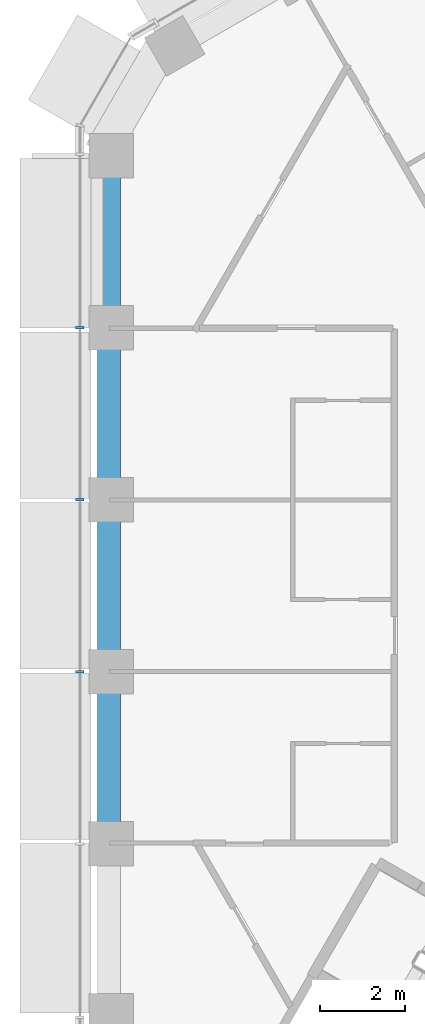
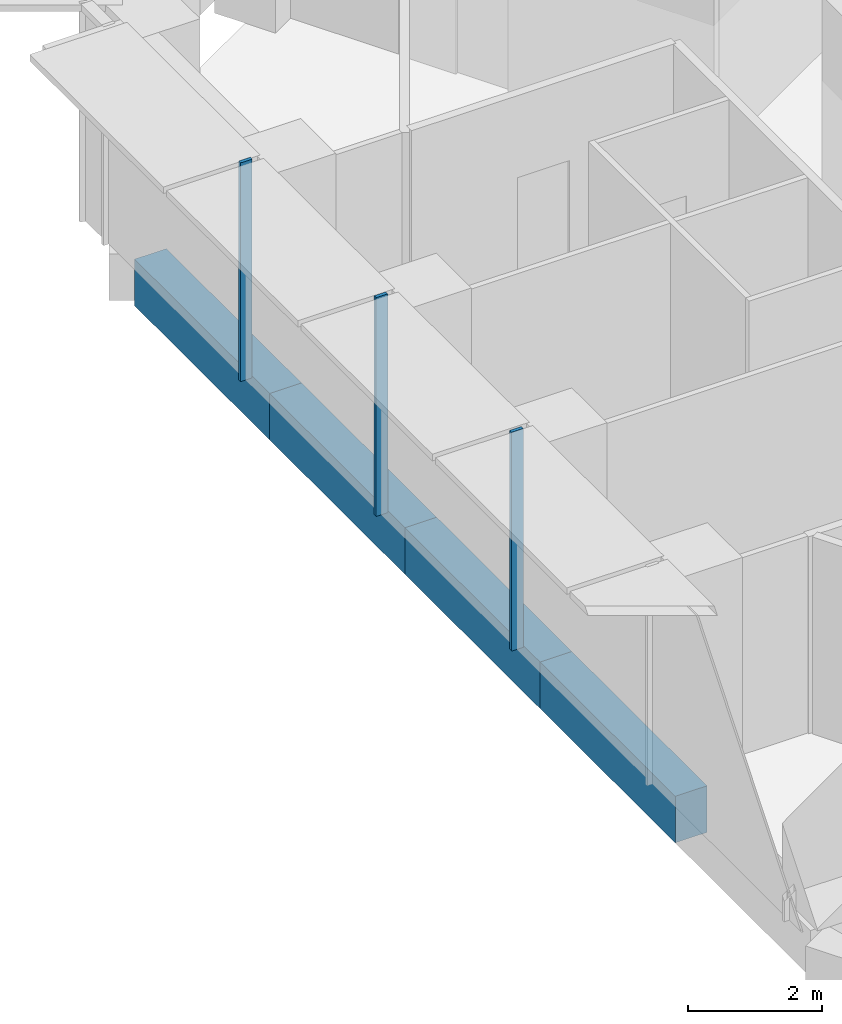
# One storey, part 3 of 28: 4 beams, 3 members, 1 element without a shape of its own.
"""IFC4 building model written with IfcOpenShell, lengths in metres."""

from ifc_helpers import new_model, si_unit, direction, frame, origin, origin_2d, place, context, subcontext, project, spatial, rectangle, extrude, material, layer, layer_set, material_profile, profile_set, type_object, element, aggregate, save


model = new_model("IFC4")

# Units and contexts
model_context = context("Model", 3, precision=1e-05, world=origin(), true_north=direction((0.0, 1.0)))
body_context = subcontext(model_context, "Body", "Model", "MODEL_VIEW")
ifc_project = project(units=[si_unit("LENGTHUNIT", "METRE"), si_unit("AREAUNIT", "SQUARE_METRE"), si_unit("VOLUMEUNIT", "CUBIC_METRE"), si_unit("PLANEANGLEUNIT", "RADIAN"), si_unit("MASSUNIT", "GRAM", prefix="KILO")], contexts=[model_context])

# Site, building, storey
site_placement = place(None, origin())
site = spatial("IfcSite", under=ifc_project, at=site_placement, CompositionType="ELEMENT")
building_placement = place(site_placement, origin())
building = spatial("IfcBuilding", under=site, at=building_placement, Name="Ayvan Gate Tower", CompositionType="ELEMENT")
storey_placement = place(building_placement, frame((0.0, 0.0, 143.89990234375)))
storey = spatial("IfcBuildingStorey", under=building, at=storey_placement, Name="L38", CompositionType="ELEMENT", Elevation=143.89990234375)

# Beams
ifc_material_1 = material(Name="Concrete C40/50", Category="concrete")
ifc_material_profile_1 = material_profile(ifc_material_1, rectangle(XDim=0.550048828125, YDim=0.85009765625, at=origin_2d()), Name="RC 550x850")
ifc_profile_set_1 = profile_set([ifc_material_profile_1], Name="Concrete C40/50")
beam_type = type_object("IfcBeamType", Name="Spandrel beam RC 550x850 C40/50", PredefinedType="BEAM", material=ifc_profile_set_1)
beam_1_placement = place(storey_placement, frame((-18.438720703125, 10.122314453125, -0.824951171875), z_axis=(0.0, -1.0, 0.0), x_axis=(1.0, 0.0, 0.0)))
element("IfcBeam", 1, at=beam_1_placement, inside=storey, type_object=beam_type, Name="SB-L38-19", PredefinedType="BEAM", context=body_context, shape_type="SweptSolid", body=[
    extrude(rectangle(XDim=0.550048828125, YDim=0.85009765625, at=origin_2d()), origin(), (0.0, 0.0, 1.0), 4.048828125),
])
beam_2_placement = place(storey_placement, frame((-18.438720703125, 6.073486328125, -0.824951171875), z_axis=(0.0, -1.0, 0.0), x_axis=(1.0, 0.0, 0.0)))
element("IfcBeam", 2, at=beam_2_placement, inside=storey, type_object=beam_type, Name="SB-L38-20", PredefinedType="BEAM", context=body_context, shape_type="SweptSolid", body=[
    extrude(rectangle(XDim=0.550048828125, YDim=0.85009765625, at=origin_2d()), origin(), (0.0, 0.0, 1.0), 4.049072265625),
])
beam_3_placement = place(storey_placement, frame((-18.438720703125, 2.0244140625, -0.824951171875), z_axis=(0.0, -1.0, 0.0), x_axis=(1.0, 0.0, 0.0)))
element("IfcBeam", 3, at=beam_3_placement, inside=storey, type_object=beam_type, Name="SB-L38-21", PredefinedType="BEAM", context=body_context, shape_type="SweptSolid", body=[
    extrude(rectangle(XDim=0.550048828125, YDim=0.85009765625, at=origin_2d()), origin(), (0.0, 0.0, 1.0), 4.048828125),
])
beam_4_placement = place(storey_placement, frame((-18.438720703125, -2.0244140625, -0.824951171875), z_axis=(0.0, -1.0, 0.0), x_axis=(1.0, 0.0, 0.0)))
element("IfcBeam", 4, at=beam_4_placement, inside=storey, type_object=beam_type, Name="SB-L38-22", PredefinedType="BEAM", context=body_context, shape_type="SweptSolid", body=[
    extrude(rectangle(XDim=0.550048828125, YDim=0.85009765625, at=origin_2d()), origin(), (0.0, 0.0, 1.0), 4.049072265625),
])

# Curtain wall, members
ifc_material_2 = material(Name="Bronze anodised aluminium", Category="aluminium")
ifc_layer = layer(ifc_material_2, 0.199951171875)
ifc_layer_set = layer_set([ifc_layer], Name="Bronze anodised aluminium")
curtain_wall_type = type_object("IfcCurtainWallType", Name="Stick curtain wall CW-1", PredefinedType="NOTDEFINED", material=ifc_layer_set)
curtain_wall_placement = place(storey_placement, origin())
curtain_wall = element("IfcCurtainWall", 5, at=curtain_wall_placement, inside=storey, type_object=curtain_wall_type, Name="Stick curtain wall CW-1 L38", PredefinedType="NOTDEFINED")
ifc_material_profile_2 = material_profile(ifc_material_2, rectangle(XDim=0.199951171875, YDim=0.06005859375, at=origin_2d()), Name="Stick curtain wall CW-1 mullion 200 x 60")
ifc_profile_set_2 = profile_set([ifc_material_profile_2], Name="Bronze anodised aluminium")
member_type = type_object("IfcMemberType", Name="Stick curtain wall CW-1 mullion 200 x 60", PredefinedType="MULLION", material=ifc_profile_set_2)
member_1_placement = place(storey_placement, frame((-19.124267578125, 6.0908203125, 0.0), z_axis=(0.0, 0.0, 1.0), x_axis=(-1.0, 0.0, 0.0)))
member_1 = element("IfcMember", 6, at=member_1_placement, type_object=member_type, Name="CW-1 mullion 2", PredefinedType="MULLION", context=body_context, shape_type="SweptSolid", body=[
    extrude(rectangle(XDim=0.199951171875, YDim=0.06005859375, at=origin_2d()), origin(), (0.0, 0.0, 1.0), 4.0),
])
member_2_placement = place(storey_placement, frame((-19.124267578125, 2.02978515625, 0.0), z_axis=(0.0, 0.0, 1.0), x_axis=(-1.0, 0.0, 0.0)))
member_2 = element("IfcMember", 7, at=member_2_placement, type_object=member_type, Name="CW-1 mullion 3", PredefinedType="MULLION", context=body_context, shape_type="SweptSolid", body=[
    extrude(rectangle(XDim=0.199951171875, YDim=0.06005859375, at=origin_2d()), origin(), (0.0, 0.0, 1.0), 4.0),
])
member_3_placement = place(storey_placement, frame((-19.124267578125, -2.0302734375, 0.0), z_axis=(0.0, 0.0, 1.0), x_axis=(-1.0, 0.0, 0.0)))
member_3 = element("IfcMember", 8, at=member_3_placement, type_object=member_type, Name="CW-1 mullion 4", PredefinedType="MULLION", context=body_context, shape_type="SweptSolid", body=[
    extrude(rectangle(XDim=0.199951171875, YDim=0.06005859375, at=origin_2d()), origin(), (0.0, 0.0, 1.0), 4.0),
])
aggregate(curtain_wall, [member_1, member_2, member_3])

save(model, "model.ifc")
